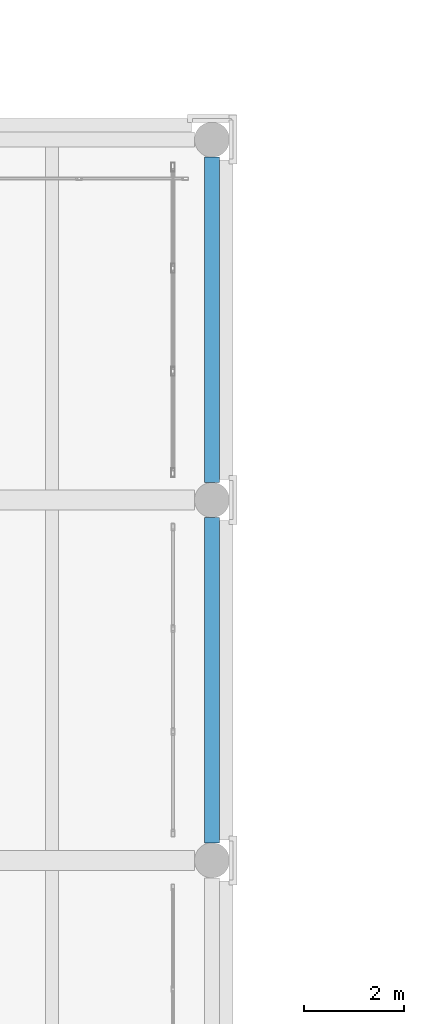
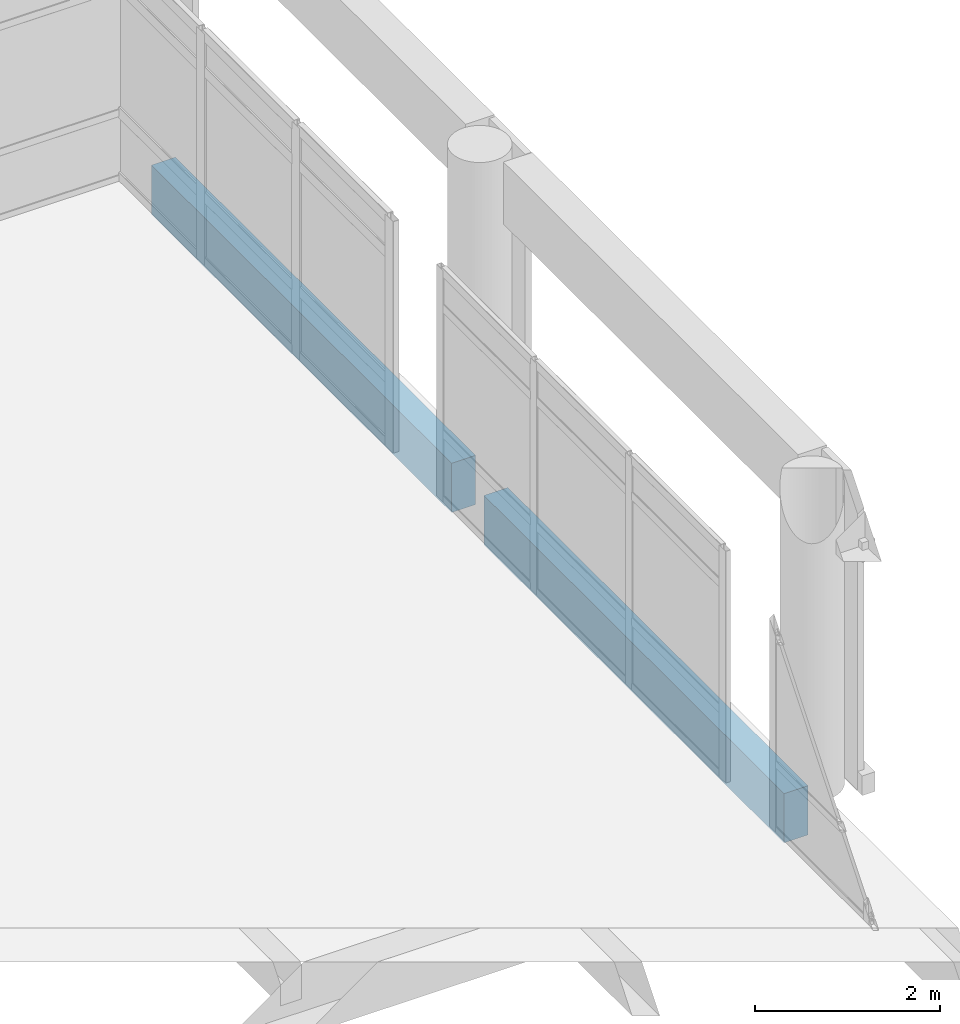
# One storey, part 54 of 180: 2 beams.
"""IFC4 building model written with IfcOpenShell, lengths in metres."""

import ifcopenshell
import ifcopenshell.guid

model = None  # the IFC model being written
_history = None  # IfcOwnerHistory: only IFC2X3 demands one
_inside = {}  # id of a spatial element -> (the spatial element, [elements in it])
_under = {}  # id of a project, library or spatial element -> (it, [spatial elements below it])
_declared = {}  # id of a project -> (the project, [libraries it declares])
_typed = {}  # id of a type object -> (the type object, [elements of that type])
_made_of = {}  # id of a material, layer set ... -> (it, [elements and type objects made of it])


def new_model(schema):
    """Start an empty IFC model of exactly this schema.

    Asked for "IFC4X3", IfcOpenShell would pick the latest addendum, in which some entities
    have other attributes; the version numbers below select the first issue.
    IFC2X3 requires an IfcOwnerHistory on every rooted entity: one is made here for all.
    """
    global model, _history
    if schema == "IFC4X3":
        model = ifcopenshell.file(schema_version=(4, 3, 0, 0))
    else:
        model = ifcopenshell.file(schema=schema)
    _inside.clear()
    _under.clear()
    _declared.clear()
    _typed.clear()
    _made_of.clear()
    _history = None
    if model.schema == "IFC2X3":
        org = make("IfcOrganization", Name="unknown")
        user = make(
            "IfcPersonAndOrganization",
            ThePerson=make("IfcPerson", FamilyName="unknown"),
            TheOrganization=org,
        )
        app = make(
            "IfcApplication",
            ApplicationDeveloper=org,
            Version="unknown",
            ApplicationFullName="unknown",
            ApplicationIdentifier="unknown",
        )
        _history = make(
            "IfcOwnerHistory",
            OwningUser=user,
            OwningApplication=app,
            ChangeAction="ADDED",
            CreationDate=0,
        )
    return model


def make(cls, **values):
    """One entity of the class cls with the attributes given. An attribute that is None is left unset."""
    return model.create_entity(
        cls, **{name: value for name, value in values.items() if value is not None}
    )


def rooted(cls, **values):
    """An entity with a GlobalId (a new one), such as an element, a storey or a relation."""
    return make(cls, GlobalId=ifcopenshell.guid.new(), OwnerHistory=_history, **values)


def si_unit(unit_type, name, prefix=None):
    """IfcSIUnit, for example si_unit("LENGTHUNIT", "METRE", prefix="MILLI")."""
    return make("IfcSIUnit", UnitType=unit_type, Prefix=prefix, Name=name)


def assignment(units):
    """IfcUnitAssignment: the units of a project."""
    return None if units is None else make("IfcUnitAssignment", Units=units)


def point(xyz):
    """IfcCartesianPoint."""
    return None if xyz is None else make("IfcCartesianPoint", Coordinates=xyz)


def direction(xyz):
    """IfcDirection."""
    return None if xyz is None else make("IfcDirection", DirectionRatios=xyz)


def frame(location, z_axis=None, x_axis=None):
    """IfcAxis2Placement3D, a coordinate frame: its origin and axes. An axis left out is left unset."""
    return make(
        "IfcAxis2Placement3D",
        Location=point(location),
        Axis=direction(z_axis),
        RefDirection=direction(x_axis),
    )


def frame_2d(location, x_axis=None):
    """IfcAxis2Placement2D, a coordinate frame in the plane: its origin and x axis."""
    return make(
        "IfcAxis2Placement2D", Location=point(location), RefDirection=direction(x_axis)
    )


def origin():
    """The frame at (0, 0, 0) with its axes left unset."""
    return frame((0.0, 0.0, 0.0))


def origin_2d():
    """The frame at (0, 0) in the plane with its x axis left unset."""
    return frame_2d((0.0, 0.0))


def place(relative_to, where):
    """IfcLocalPlacement: puts the frame where relative to a parent placement (None: the world)."""
    return make(
        "IfcLocalPlacement", PlacementRelTo=relative_to, RelativePlacement=where
    )


def context(
    kind, dimensions, precision=None, world=None, true_north=None, identifier=None
):
    """IfcGeometricRepresentationContext, for example the 3D "Model" context."""
    return make(
        "IfcGeometricRepresentationContext",
        ContextIdentifier=identifier,
        ContextType=kind,
        CoordinateSpaceDimension=dimensions,
        Precision=precision,
        WorldCoordinateSystem=world,
        TrueNorth=true_north,
    )


def subcontext(parent, identifier, kind, view, scale=None):
    """IfcGeometricRepresentationSubContext, for example "Body" below "Model"."""
    return make(
        "IfcGeometricRepresentationSubContext",
        ContextIdentifier=identifier,
        ContextType=kind,
        ParentContext=parent,
        TargetScale=scale,
        TargetView=view,
    )


def project(units=None, contexts=None):
    """IfcProject with its units and contexts."""
    return rooted(
        "IfcProject",
        Name="project",
        RepresentationContexts=contexts,
        UnitsInContext=assignment(units),
    )


def spatial(cls, under=None, at=None, **own):
    """A site, building, storey or space (cls), placed at a placement, below another one or the project."""
    s = rooted(cls, ObjectPlacement=at, **own)
    if under is not None:
        _under.setdefault(under.id(), (under, []))[1].append(s)
    return s


def profile(cls, at=None, kind="AREA", **sizes):
    """A parametric profile (cls). Its sizes go by their IFC names, for example OverallWidth=200.0."""
    return make(cls, ProfileType=kind, Position=at, **sizes)


def rectangle(**sizes):
    """IfcRectangleProfileDef."""
    return profile("IfcRectangleProfileDef", **sizes)


def extrude(swept, where, along, depth):
    """IfcExtrudedAreaSolid: the profile swept, set in the frame where, extruded along a direction by depth."""
    return make(
        "IfcExtrudedAreaSolid",
        SweptArea=swept,
        Position=where,
        ExtrudedDirection=direction(along),
        Depth=depth,
    )


def shape(context_of_items, identifier, shape_type, items):
    """IfcShapeRepresentation: the items that make up one representation, for example the "Body"."""
    return make(
        "IfcShapeRepresentation",
        ContextOfItems=context_of_items,
        RepresentationIdentifier=identifier,
        RepresentationType=shape_type,
        Items=items,
    )


def material(Name=None, Category=None):
    """IfcMaterial."""
    return make("IfcMaterial", Name=Name, Category=Category)


def material_profile(
    of_material, cross_section, Name=None, Category=None, Priority=None
):
    """IfcMaterialProfile: a cross section and its material."""
    return make(
        "IfcMaterialProfile",
        Name=Name,
        Material=of_material,
        Profile=cross_section,
        Priority=Priority,
        Category=Category,
    )


def profile_set(profiles, Name=None, composite=None):
    """IfcMaterialProfileSet."""
    return make(
        "IfcMaterialProfileSet",
        Name=Name,
        MaterialProfiles=profiles,
        CompositeProfile=composite,
    )


def made_of(thing, what):
    """Note that an element or type object is made of a material, layer set ...; save() writes the relation."""
    if what is not None:
        _made_of.setdefault(what.id(), (what, []))[1].append(thing)
    return thing


def type_object(cls, material=None, **own):
    """A type object (cls), such as IfcWallType, which elements share."""
    return made_of(rooted(cls, **own), material)


def element(
    cls,
    number,
    at=None,
    inside=None,
    cuts=None,
    type_object=None,
    material=None,
    context=None,
    identifier="Body",
    shape_type=None,
    held_by="IfcProductDefinitionShape",
    body=None,
    shapes=None,
    **own,
):
    """One element of the class cls, such as IfcWall. Its Tag is "e" and its number.

    at: its placement. inside: the storey or other place that contains it. cuts: it is an
    opening in that element (IfcRelVoidsElement). A single representation is given by context,
    identifier, shape_type and body (its items); several are given by shapes. held_by: the class
    of the entity that holds the representations. save() writes the other relations.
    """
    e = rooted(cls, Tag="e%d" % number, ObjectPlacement=at, **own)
    if body is not None:
        shapes = [shape(context, identifier, shape_type, body)]
    if shapes is not None:
        e.Representation = make(held_by, Representations=shapes)
    if inside is not None:
        _inside.setdefault(inside.id(), (inside, []))[1].append(e)
    if cuts is not None:
        rooted(
            "IfcRelVoidsElement", RelatingBuildingElement=cuts, RelatedOpeningElement=e
        )
    if type_object is not None:
        _typed.setdefault(type_object.id(), (type_object, []))[1].append(e)
    return made_of(e, material)


def aggregate(whole, parts):
    """IfcRelAggregates: a whole, such as a stair, and the parts it consists of."""
    return rooted("IfcRelAggregates", RelatingObject=whole, RelatedObjects=parts)


def save(model, path):
    """Write the relations noted so far, then the file.

    IfcRelAggregates (storeys below a building ...), IfcRelContainedInSpatialStructure (elements
    in a storey), IfcRelDefinesByType, IfcRelAssociatesMaterial and IfcRelDeclares: one each for
    every whole, place, type object, material and project.
    """
    for whole, parts in _under.values():
        aggregate(whole, parts)
    for where, things in _inside.values():
        rooted(
            "IfcRelContainedInSpatialStructure",
            RelatedElements=things,
            RelatingStructure=where,
        )
    for kind, things in _typed.values():
        rooted("IfcRelDefinesByType", RelatedObjects=things, RelatingType=kind)
    for what, things in _made_of.values():
        rooted("IfcRelAssociatesMaterial", RelatedObjects=things, RelatingMaterial=what)
    for by, libraries in _declared.values():
        rooted("IfcRelDeclares", RelatingContext=by, RelatedDefinitions=libraries)
    model.write(path)


model = new_model("IFC4")

# Units and contexts
model_context = context("Model", 3, precision=1e-05, world=origin(), true_north=direction((0.0, 1.0)))
body_context = subcontext(model_context, "Body", "Model", "MODEL_VIEW")
ifc_project = project(units=[si_unit("LENGTHUNIT", "METRE"), si_unit("AREAUNIT", "SQUARE_METRE"), si_unit("VOLUMEUNIT", "CUBIC_METRE"), si_unit("PLANEANGLEUNIT", "RADIAN"), si_unit("MASSUNIT", "GRAM", prefix="KILO")], contexts=[model_context])

# Site, building, storey
site_placement = place(None, origin())
site = spatial("IfcSite", under=ifc_project, at=site_placement, CompositionType="ELEMENT")
building_placement = place(site_placement, origin())
building = spatial("IfcBuilding", under=site, at=building_placement, Name="Asteropetra Specialist Clinic", CompositionType="ELEMENT")
storey_placement = place(building_placement, frame((0.0, 0.0, 4.419921875)))
storey = spatial("IfcBuildingStorey", under=building, at=storey_placement, Name="L01", CompositionType="ELEMENT", Elevation=4.419921875)

# Beams
ifc_material = material(Name="Concrete C35/45", Category="concrete")
ifc_material_profile = material_profile(ifc_material, rectangle(XDim=0.300048828125, YDim=0.64990234375, at=origin_2d()), Name="RCS 300x650")
ifc_profile_set = profile_set([ifc_material_profile], Name="Concrete C35/45")
beam_type = type_object("IfcBeamType", Name="SPN-RC300x650", PredefinedType="SPANDREL", material=ifc_profile_set)
for number, where, z_axis, x_axis, name in (
    (1, (48.0, 48.35009765625, -0.625), (0.0, 1.0, 0.0), (-1.0, 0.0, 0.0), "Beam BSPN03-0369"),
    (2, (48.0, 55.550048828125, -0.625), (0.0, 1.0, 0.0), (-1.0, 0.0, 0.0), "Beam BSPN03-0385"),
):
    element("IfcBeam", number, at=place(storey_placement, frame(where, z_axis=z_axis, x_axis=x_axis)), inside=storey, type_object=beam_type, Name=name, PredefinedType="SPANDREL", context=body_context, shape_type="SweptSolid", body=[
        extrude(rectangle(XDim=0.300048828125, YDim=0.64990234375, at=origin_2d()), origin(), (0.0, 0.0, 1.0), 6.5),
    ])

save(model, "model.ifc")
